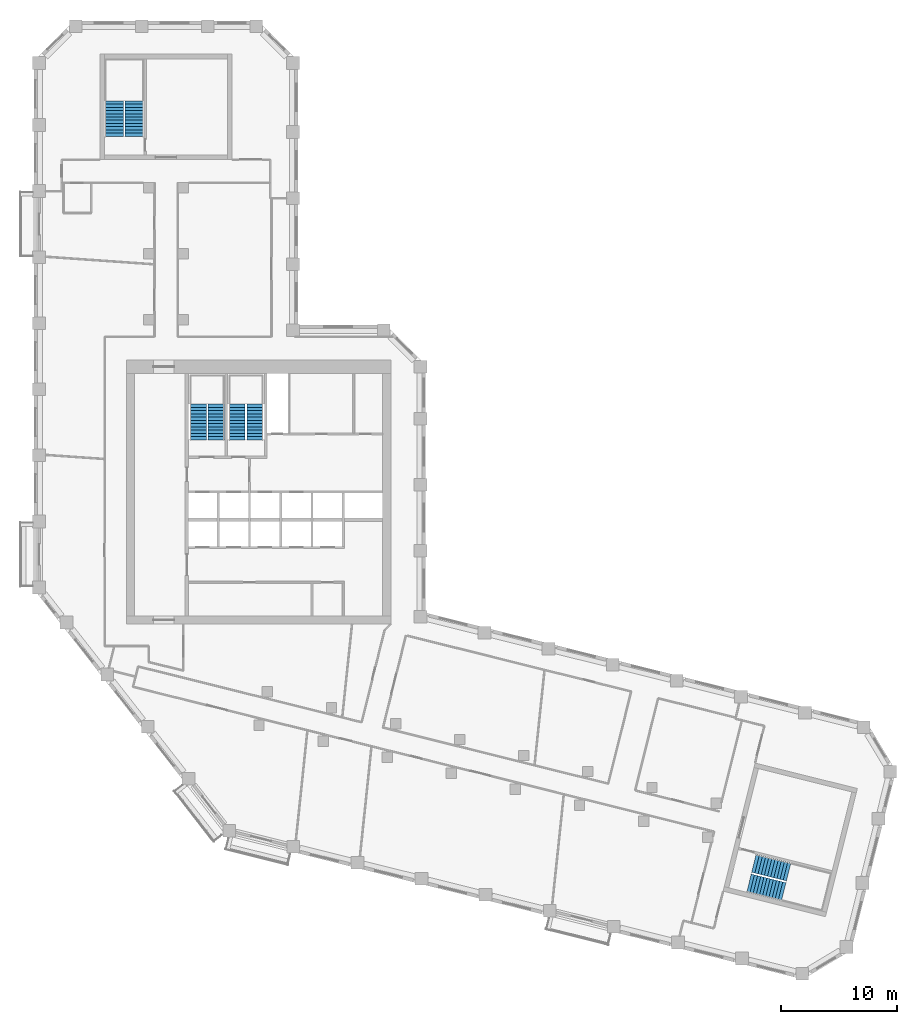
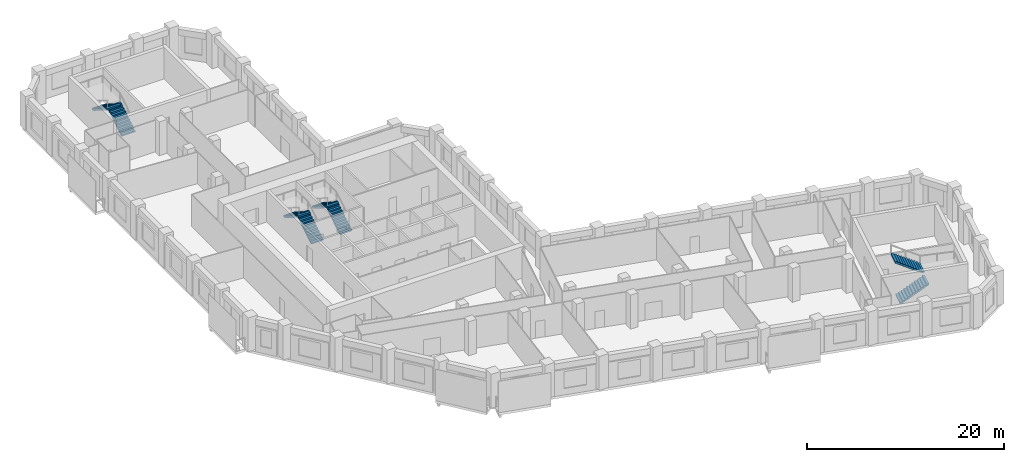
# One storey, part 9 of 10: 8 stair flights, 4 elements without a shape of their own.
"""IFC4 building model written with IfcOpenShell, lengths in metres."""

from ifc_helpers import new_model, si_unit, direction, frame, origin, place, context, subcontext, project, spatial, polyline, outline, extrude, material, type_object, element, aggregate, save


model = new_model("IFC4")

# Units and contexts
model_context = context("Model", 3, precision=1e-05, world=origin(), true_north=direction((0.0, 1.0)))
body_context = subcontext(model_context, "Body", "Model", "MODEL_VIEW")
ifc_project = project(units=[si_unit("LENGTHUNIT", "METRE"), si_unit("AREAUNIT", "SQUARE_METRE"), si_unit("VOLUMEUNIT", "CUBIC_METRE"), si_unit("PLANEANGLEUNIT", "RADIAN"), si_unit("MASSUNIT", "GRAM", prefix="KILO")], contexts=[model_context])

# Site, building, storey
site_placement = place(None, origin())
site = spatial("IfcSite", under=ifc_project, at=site_placement, CompositionType="ELEMENT")
building_placement = place(site_placement, origin())
building = spatial("IfcBuilding", under=site, at=building_placement, Name="Meshkara Civic Tower", CompositionType="ELEMENT")
storey_placement = place(building_placement, frame((0.0, 0.0, 229.800048828125)))
storey = spatial("IfcBuildingStorey", under=building, at=storey_placement, Name="L52", CompositionType="ELEMENT", Elevation=229.800048828125)

# Stair, stair flights
ifc_material_1 = material(Name="Precast concrete C40/50", Category="concrete")
stair_type_1 = type_object("IfcStairType", Name="Exit stair half-turn 24 risers 1600 precast", PredefinedType="HALF_TURN_STAIR", material=ifc_material_1)
stair_1_placement = place(storey_placement, origin())
stair_1 = element("IfcStair", 1, at=stair_1_placement, inside=storey, type_object=stair_type_1, Name="L52 exit stair A from L50", PredefinedType="HALF_TURN_STAIR")
ifc_material_2 = material(Name="Precast concrete C40/50", Category="concrete")
stair_flight_type_1 = type_object("IfcStairFlightType", Name="Exit stair flight 12 risers 1600 precast", PredefinedType="STRAIGHT", material=ifc_material_2)
stair_flight_1_placement = place(storey_placement, frame((8.675048828125, 56.169921875, 0.0), z_axis=(0.0, 0.0, 1.0), x_axis=(0.0, 1.0, 0.0)))
stair_flight_1 = element("IfcStairFlight", 2, at=stair_flight_1_placement, type_object=stair_flight_type_1, Name="ESA4 flight 1", NumberOfRisers=12, NumberOfTreads=11, PredefinedType="STRAIGHT", RiserHeight=0.175, TreadLength=0.28, context=body_context, shape_type="SweptSolid", body=[
    extrude(outline(polyline([(0.0, 0.0), (0.0, 0.175048828125), (0.280029296875, 0.175048828125), (0.280029296875, 0.35009765625), (0.56005859375, 0.35009765625), (0.56005859375, 0.52490234375), (0.840087890625, 0.52490234375), (0.840087890625, 0.699951171875), (1.1201171875, 0.699951171875), (1.1201171875, 0.875), (1.39990234375, 0.875), (1.39990234375, 1.050048828125), (1.679931640625, 1.050048828125), (1.679931640625, 1.22509765625), (1.9599609375, 1.22509765625), (1.9599609375, 1.39990234375), (2.239990234375, 1.39990234375), (2.239990234375, 1.574951171875), (2.52001953125, 1.574951171875), (2.52001953125, 1.75), (2.800048828125, 1.75), (2.800048828125, 1.925048828125), (3.080078125, 1.925048828125), (3.080078125, 2.10009765625), (3.080078125, 1.748291015625), (0.28271484375, 0.0), (0.0, 0.0)])), frame((0.0, 0.800048828125, 0.0), z_axis=(0.0, -1.0, 0.0), x_axis=(1.0, 0.0, 0.0)), (0.0, 0.0, 1.0), 1.60009765625),
])
stair_flight_2_placement = place(storey_placement, frame((6.925048828125, 59.25, 2.099853515625), z_axis=(0.0, 0.0, 1.0), x_axis=(0.0, -1.0, 0.0)))
stair_flight_2 = element("IfcStairFlight", 3, at=stair_flight_2_placement, type_object=stair_flight_type_1, Name="ESA4 flight 2", NumberOfRisers=12, NumberOfTreads=11, PredefinedType="STRAIGHT", RiserHeight=0.175, TreadLength=0.28, context=body_context, shape_type="SweptSolid", body=[
    extrude(outline(polyline([(0.0, 0.0), (0.0, 0.175048828125), (0.280029296875, 0.175048828125), (0.280029296875, 0.35009765625), (0.56005859375, 0.35009765625), (0.56005859375, 0.52490234375), (0.840087890625, 0.52490234375), (0.840087890625, 0.699951171875), (1.1201171875, 0.699951171875), (1.1201171875, 0.875), (1.39990234375, 0.875), (1.39990234375, 1.050048828125), (1.679931640625, 1.050048828125), (1.679931640625, 1.22509765625), (1.9599609375, 1.22509765625), (1.9599609375, 1.39990234375), (2.239990234375, 1.39990234375), (2.239990234375, 1.574951171875), (2.52001953125, 1.574951171875), (2.52001953125, 1.75), (2.800048828125, 1.75), (2.800048828125, 1.925048828125), (3.080078125, 1.925048828125), (3.080078125, 2.10009765625), (3.080078125, 1.748291015625), (0.28271484375, 0.0), (0.0, 0.0)])), frame((0.0, 0.800048828125, 0.0), z_axis=(0.0, -1.0, 0.0), x_axis=(1.0, 0.0, 0.0)), (0.0, 0.0, 1.0), 1.60009765625),
])
aggregate(stair_1, [stair_flight_1, stair_flight_2])

stair_2_placement = place(storey_placement, origin())
stair_2 = element("IfcStair", 4, at=stair_2_placement, inside=storey, type_object=stair_type_1, Name="L52 exit stair B from L50", PredefinedType="HALF_TURN_STAIR")
stair_flight_3_placement = place(storey_placement, frame((61.70751953125, -8.248291015625, 0.0), z_axis=(0.0, 0.0, 1.0), x_axis=(0.970260066579, -0.242064873955, 0.0)))
stair_flight_3 = element("IfcStairFlight", 5, at=stair_flight_3_placement, type_object=stair_flight_type_1, Name="ESB4 flight 1", NumberOfRisers=12, NumberOfTreads=11, PredefinedType="STRAIGHT", RiserHeight=0.175, TreadLength=0.28, context=body_context, shape_type="SweptSolid", body=[
    extrude(outline(polyline([(0.0, 0.0), (0.0, 0.175048828125), (0.280029296875, 0.175048828125), (0.280029296875, 0.35009765625), (0.56005859375, 0.35009765625), (0.56005859375, 0.52490234375), (0.840087890625, 0.52490234375), (0.840087890625, 0.699951171875), (1.1201171875, 0.699951171875), (1.1201171875, 0.875), (1.39990234375, 0.875), (1.39990234375, 1.050048828125), (1.679931640625, 1.050048828125), (1.679931640625, 1.22509765625), (1.9599609375, 1.22509765625), (1.9599609375, 1.39990234375), (2.239990234375, 1.39990234375), (2.239990234375, 1.574951171875), (2.52001953125, 1.574951171875), (2.52001953125, 1.75), (2.800048828125, 1.75), (2.800048828125, 1.925048828125), (3.080078125, 1.925048828125), (3.080078125, 2.10009765625), (3.080078125, 1.748291015625), (0.28271484375, 0.0), (0.0, 0.0)])), frame((0.0, 0.800048828125, 0.0), z_axis=(0.0, -1.0, 0.0), x_axis=(1.0, 0.0, 0.0)), (0.0, 0.0, 1.0), 1.60009765625),
])
stair_flight_4_placement = place(storey_placement, frame((65.11962890625, -7.2958984375, 2.099853515625), z_axis=(0.0, 0.0, 1.0), x_axis=(-0.970260066579, 0.242064873955, 0.0)))
stair_flight_4 = element("IfcStairFlight", 6, at=stair_flight_4_placement, type_object=stair_flight_type_1, Name="ESB4 flight 2", NumberOfRisers=12, NumberOfTreads=11, PredefinedType="STRAIGHT", RiserHeight=0.175, TreadLength=0.28, context=body_context, shape_type="SweptSolid", body=[
    extrude(outline(polyline([(0.0, 0.0), (0.0, 0.175048828125), (0.280029296875, 0.175048828125), (0.280029296875, 0.35009765625), (0.56005859375, 0.35009765625), (0.56005859375, 0.52490234375), (0.840087890625, 0.52490234375), (0.840087890625, 0.699951171875), (1.1201171875, 0.699951171875), (1.1201171875, 0.875), (1.39990234375, 0.875), (1.39990234375, 1.050048828125), (1.679931640625, 1.050048828125), (1.679931640625, 1.22509765625), (1.9599609375, 1.22509765625), (1.9599609375, 1.39990234375), (2.239990234375, 1.39990234375), (2.239990234375, 1.574951171875), (2.52001953125, 1.574951171875), (2.52001953125, 1.75), (2.800048828125, 1.75), (2.800048828125, 1.925048828125), (3.080078125, 1.925048828125), (3.080078125, 2.10009765625), (3.080078125, 1.748291015625), (0.28271484375, 0.0), (0.0, 0.0)])), frame((0.0, 0.800048828125, 0.0), z_axis=(0.0, -1.0, 0.0), x_axis=(1.0, 0.0, 0.0)), (0.0, 0.0, 1.0), 1.60009765625),
])
aggregate(stair_2, [stair_flight_3, stair_flight_4])

ifc_material_3 = material(Name="Precast concrete C40/50", Category="concrete")
stair_type_2 = type_object("IfcStairType", Name="Exit stair half-turn 24 risers precast", PredefinedType="HALF_TURN_STAIR", material=ifc_material_3)
stair_3_placement = place(storey_placement, origin())
stair_3 = element("IfcStair", 7, at=stair_3_placement, inside=storey, type_object=stair_type_2, Name="L52 exit stair 1", PredefinedType="HALF_TURN_STAIR")
ifc_material_4 = material(Name="Precast concrete C40/50", Category="concrete")
stair_flight_type_2 = type_object("IfcStairFlightType", Name="Exit stair flight 12 risers precast", PredefinedType="STRAIGHT", material=ifc_material_4)
stair_flight_5_placement = place(storey_placement, frame((15.72509765625, 30.0, 0.0), z_axis=(0.0, 0.0, 1.0), x_axis=(0.0, 1.0, 0.0)))
stair_flight_5 = element("IfcStairFlight", 8, at=stair_flight_5_placement, type_object=stair_flight_type_2, Name="ST1 flight 1", NumberOfRisers=12, NumberOfTreads=11, PredefinedType="STRAIGHT", RiserHeight=0.175, TreadLength=0.28, context=body_context, shape_type="SweptSolid", body=[
    extrude(outline(polyline([(0.0, 0.0), (0.0, 0.175048828125), (0.280029296875, 0.175048828125), (0.280029296875, 0.35009765625), (0.56005859375, 0.35009765625), (0.56005859375, 0.52490234375), (0.840087890625, 0.52490234375), (0.840087890625, 0.699951171875), (1.1201171875, 0.699951171875), (1.1201171875, 0.875), (1.39990234375, 0.875), (1.39990234375, 1.050048828125), (1.679931640625, 1.050048828125), (1.679931640625, 1.22509765625), (1.9599609375, 1.22509765625), (1.9599609375, 1.39990234375), (2.239990234375, 1.39990234375), (2.239990234375, 1.574951171875), (2.52001953125, 1.574951171875), (2.52001953125, 1.75), (2.800048828125, 1.75), (2.800048828125, 1.925048828125), (3.080078125, 1.925048828125), (3.080078125, 2.10009765625), (3.080078125, 1.748291015625), (0.28271484375, 0.0), (0.0, 0.0)])), frame((0.0, 0.699951171875, 0.0), z_axis=(0.0, -1.0, 0.0), x_axis=(1.0, 0.0, 0.0)), (0.0, 0.0, 1.0), 1.39990234375),
])
stair_flight_6_placement = place(storey_placement, frame((14.175048828125, 33.080078125, 2.099853515625), z_axis=(0.0, 0.0, 1.0), x_axis=(0.0, -1.0, 0.0)))
stair_flight_6 = element("IfcStairFlight", 9, at=stair_flight_6_placement, type_object=stair_flight_type_2, Name="ST1 flight 2", NumberOfRisers=12, NumberOfTreads=11, PredefinedType="STRAIGHT", RiserHeight=0.175, TreadLength=0.28, context=body_context, shape_type="SweptSolid", body=[
    extrude(outline(polyline([(0.0, 0.0), (0.0, 0.175048828125), (0.280029296875, 0.175048828125), (0.280029296875, 0.35009765625), (0.56005859375, 0.35009765625), (0.56005859375, 0.52490234375), (0.840087890625, 0.52490234375), (0.840087890625, 0.699951171875), (1.1201171875, 0.699951171875), (1.1201171875, 0.875), (1.39990234375, 0.875), (1.39990234375, 1.050048828125), (1.679931640625, 1.050048828125), (1.679931640625, 1.22509765625), (1.9599609375, 1.22509765625), (1.9599609375, 1.39990234375), (2.239990234375, 1.39990234375), (2.239990234375, 1.574951171875), (2.52001953125, 1.574951171875), (2.52001953125, 1.75), (2.800048828125, 1.75), (2.800048828125, 1.925048828125), (3.080078125, 1.925048828125), (3.080078125, 2.10009765625), (3.080078125, 1.748291015625), (0.28271484375, 0.0), (0.0, 0.0)])), frame((0.0, 0.699951171875, 0.0), z_axis=(0.0, -1.0, 0.0), x_axis=(1.0, 0.0, 0.0)), (0.0, 0.0, 1.0), 1.39990234375),
])
aggregate(stair_3, [stair_flight_5, stair_flight_6])

stair_4_placement = place(storey_placement, origin())
stair_4 = element("IfcStair", 10, at=stair_4_placement, inside=storey, type_object=stair_type_2, Name="L52 exit stair 2", PredefinedType="HALF_TURN_STAIR")
stair_flight_7_placement = place(storey_placement, frame((19.074951171875, 30.0, 0.0), z_axis=(0.0, 0.0, 1.0), x_axis=(0.0, 1.0, 0.0)))
stair_flight_7 = element("IfcStairFlight", 11, at=stair_flight_7_placement, type_object=stair_flight_type_2, Name="ST2 flight 1", NumberOfRisers=12, NumberOfTreads=11, PredefinedType="STRAIGHT", RiserHeight=0.175, TreadLength=0.28, context=body_context, shape_type="SweptSolid", body=[
    extrude(outline(polyline([(0.0, 0.0), (0.0, 0.175048828125), (0.280029296875, 0.175048828125), (0.280029296875, 0.35009765625), (0.56005859375, 0.35009765625), (0.56005859375, 0.52490234375), (0.840087890625, 0.52490234375), (0.840087890625, 0.699951171875), (1.1201171875, 0.699951171875), (1.1201171875, 0.875), (1.39990234375, 0.875), (1.39990234375, 1.050048828125), (1.679931640625, 1.050048828125), (1.679931640625, 1.22509765625), (1.9599609375, 1.22509765625), (1.9599609375, 1.39990234375), (2.239990234375, 1.39990234375), (2.239990234375, 1.574951171875), (2.52001953125, 1.574951171875), (2.52001953125, 1.75), (2.800048828125, 1.75), (2.800048828125, 1.925048828125), (3.080078125, 1.925048828125), (3.080078125, 2.10009765625), (3.080078125, 1.748291015625), (0.28271484375, 0.0), (0.0, 0.0)])), frame((0.0, 0.699951171875, 0.0), z_axis=(0.0, -1.0, 0.0), x_axis=(1.0, 0.0, 0.0)), (0.0, 0.0, 1.0), 1.39990234375),
])
stair_flight_8_placement = place(storey_placement, frame((17.52490234375, 33.080078125, 2.099853515625), z_axis=(0.0, 0.0, 1.0), x_axis=(0.0, -1.0, 0.0)))
stair_flight_8 = element("IfcStairFlight", 12, at=stair_flight_8_placement, type_object=stair_flight_type_2, Name="ST2 flight 2", NumberOfRisers=12, NumberOfTreads=11, PredefinedType="STRAIGHT", RiserHeight=0.175, TreadLength=0.28, context=body_context, shape_type="SweptSolid", body=[
    extrude(outline(polyline([(0.0, 0.0), (0.0, 0.175048828125), (0.280029296875, 0.175048828125), (0.280029296875, 0.35009765625), (0.56005859375, 0.35009765625), (0.56005859375, 0.52490234375), (0.840087890625, 0.52490234375), (0.840087890625, 0.699951171875), (1.1201171875, 0.699951171875), (1.1201171875, 0.875), (1.39990234375, 0.875), (1.39990234375, 1.050048828125), (1.679931640625, 1.050048828125), (1.679931640625, 1.22509765625), (1.9599609375, 1.22509765625), (1.9599609375, 1.39990234375), (2.239990234375, 1.39990234375), (2.239990234375, 1.574951171875), (2.52001953125, 1.574951171875), (2.52001953125, 1.75), (2.800048828125, 1.75), (2.800048828125, 1.925048828125), (3.080078125, 1.925048828125), (3.080078125, 2.10009765625), (3.080078125, 1.748291015625), (0.28271484375, 0.0), (0.0, 0.0)])), frame((0.0, 0.699951171875, 0.0), z_axis=(0.0, -1.0, 0.0), x_axis=(1.0, 0.0, 0.0)), (0.0, 0.0, 1.0), 1.39990234375),
])
aggregate(stair_4, [stair_flight_7, stair_flight_8])

save(model, "model.ifc")
